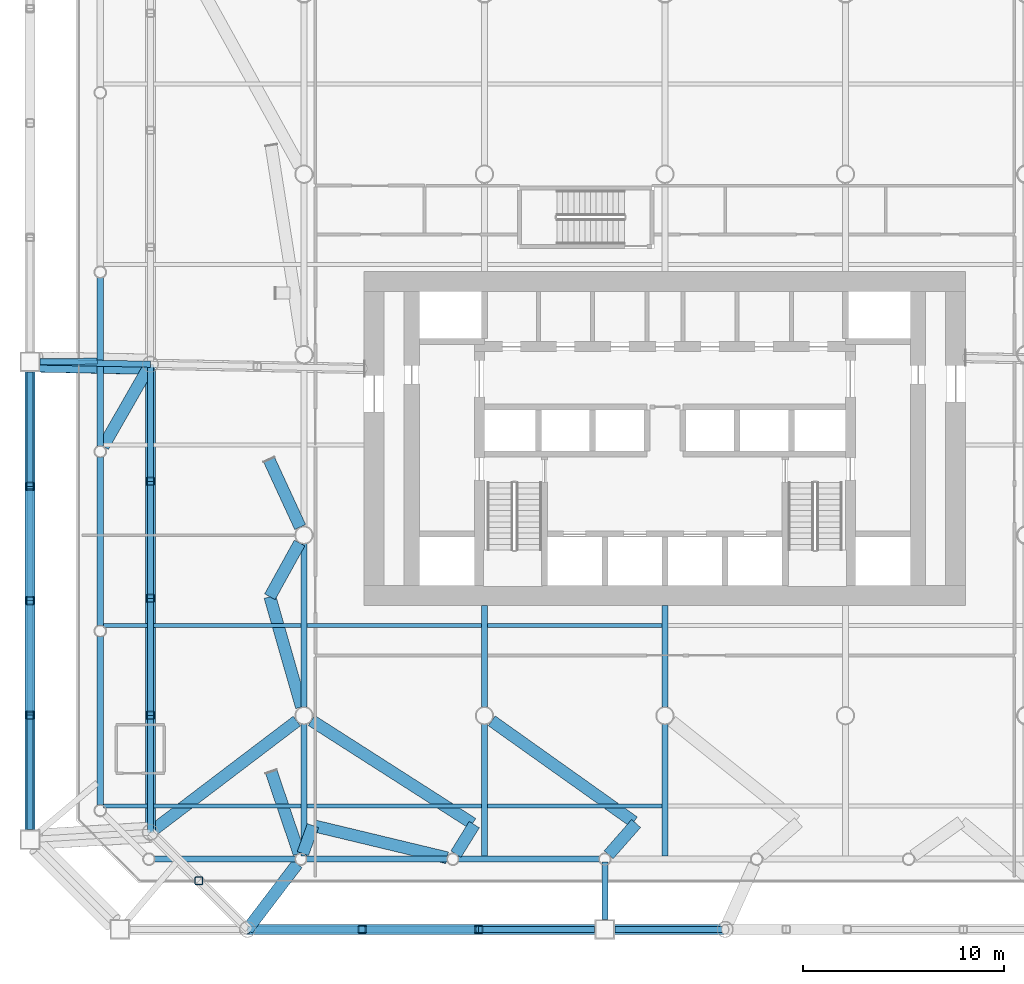
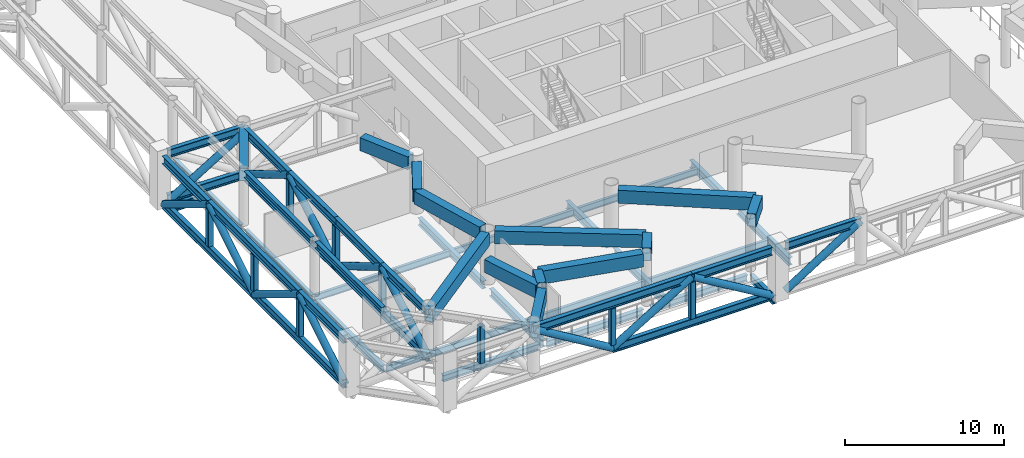
# One storey, part 2 of 22: 54 beams, 22 members.
"""IFC4 building model written with IfcOpenShell, lengths in metres."""

from ifc_helpers import new_model, si_unit, direction, frame, origin, origin_2d, place, context, subcontext, project, spatial, hollow_rectangle, hollow_circle, i_section, extrude, material, material_profile, profile_set, type_object, element, save


model = new_model("IFC4")

# Units and contexts
model_context = context("Model", 3, precision=1e-05, world=origin(), true_north=direction((0.0, 1.0)))
body_context = subcontext(model_context, "Body", "Model", "MODEL_VIEW")
ifc_project = project(units=[si_unit("LENGTHUNIT", "METRE"), si_unit("AREAUNIT", "SQUARE_METRE"), si_unit("VOLUMEUNIT", "CUBIC_METRE"), si_unit("PLANEANGLEUNIT", "RADIAN"), si_unit("MASSUNIT", "GRAM", prefix="KILO")], contexts=[model_context])

# Site, building, storey
site_placement = place(None, origin())
site = spatial("IfcSite", under=ifc_project, at=site_placement, CompositionType="ELEMENT")
building_placement = place(site_placement, origin())
building = spatial("IfcBuilding", under=site, at=building_placement, Name="Tskaro Facet Tower", CompositionType="ELEMENT")
storey_placement = place(building_placement, frame((0.0, 0.0, 57.60009765625)))
storey = spatial("IfcBuildingStorey", under=building, at=storey_placement, Name="L13", CompositionType="ELEMENT", Elevation=57.60009765625)

# Beams
ifc_material_1 = material(Name="Steel S355J2", Category="steel")
ifc_material_profile_1 = material_profile(ifc_material_1, hollow_rectangle(XDim=0.60009765625, YDim=1.0, WallThickness=0.0400390625, at=origin_2d()), Name="BOX 600x1000x40")
ifc_profile_set_1 = profile_set([ifc_material_profile_1], Name="Steel S355J2")
beam_type_1 = type_object("IfcBeamType", Name="BOX 600x1000x40 transfer girder", PredefinedType="BEAM", material=ifc_profile_set_1)
beam_1_placement = place(storey_placement, frame((-25.658935546875, -23.81591796875, 3.579833984375), z_axis=(0.796407370477, 0.604760531326, 0.0), x_axis=(-0.604760531326, 0.796407370477, 0.0)))
element("IfcBeam", 1, at=beam_1_placement, inside=storey, type_object=beam_type_1, Name="BOX 600x1000x40 TG2-5", PredefinedType="BEAM", context=body_context, shape_type="SweptSolid", body=[
    extrude(hollow_rectangle(XDim=0.60009765625, YDim=1.0, WallThickness=0.0400390625, at=origin_2d()), origin(), (0.0, 0.0, 1.0), 9.169677734375),
])
beam_2_placement = place(storey_placement, frame((-17.55029296875, -23.482421875, 3.579833984375), z_axis=(-0.338585535665, -0.94093561684, 0.0), x_axis=(0.94093561684, -0.338585535665, 0.0)))
element("IfcBeam", 2, at=beam_2_placement, inside=storey, type_object=beam_type_1, Name="BOX 600x1000x40 TG2-9", PredefinedType="BEAM", context=body_context, shape_type="SweptSolid", body=[
    extrude(hollow_rectangle(XDim=0.60009765625, YDim=1.0, WallThickness=0.0400390625, at=origin_2d()), origin(), (0.0, 0.0, 1.0), 1.484619140625),
])
beam_3_placement = place(storey_placement, frame((-17.472412109375, -23.501220703125, 3.579833984375), z_axis=(0.97236708512, -0.23345717332, 0.0), x_axis=(0.23345717332, 0.97236708512, 0.0)))
element("IfcBeam", 3, at=beam_3_placement, inside=storey, type_object=beam_type_1, Name="BOX 600x1000x40 TG2-10", PredefinedType="BEAM", context=body_context, shape_type="SweptSolid", body=[
    extrude(hollow_rectangle(XDim=0.60009765625, YDim=1.0, WallThickness=0.0400390625, at=origin_2d()), origin(), (0.0, 0.0, 1.0), 6.79736328125),
])
beam_4_placement = place(storey_placement, frame((-9.507568359375, -23.4326171875, 3.579833984375), z_axis=(-0.526703643594, -0.850048982015, 0.0), x_axis=(0.850048982015, -0.526703643594, 0.0)))
element("IfcBeam", 4, at=beam_4_placement, inside=storey, type_object=beam_type_1, Name="BOX 600x1000x40 TG2-14", PredefinedType="BEAM", context=body_context, shape_type="SweptSolid", body=[
    extrude(hollow_rectangle(XDim=0.60009765625, YDim=1.0, WallThickness=0.0400390625, at=origin_2d()), origin(), (0.0, 0.0, 1.0), 1.733642578125),
])
beam_5_placement = place(storey_placement, frame((-9.591796875, -23.378662109375, 3.579833984375), z_axis=(-0.842388573518, 0.538870569995, 0.0), x_axis=(-0.538870569995, -0.842388573518, 0.0)))
element("IfcBeam", 5, at=beam_5_placement, inside=storey, type_object=beam_type_1, Name="BOX 600x1000x40 TG2-15", PredefinedType="BEAM", context=body_context, shape_type="SweptSolid", body=[
    extrude(hollow_rectangle(XDim=0.60009765625, YDim=1.0, WallThickness=0.0400390625, at=origin_2d()), origin(), (0.0, 0.0, 1.0), 9.5341796875),
])
beam_6_placement = place(storey_placement, frame((-1.43603515625, -23.378173828125, 3.579833984375), z_axis=(-0.660261551154, -0.751035740872, 0.0), x_axis=(0.751035740872, -0.660261551154, 0.0)))
element("IfcBeam", 6, at=beam_6_placement, inside=storey, type_object=beam_type_1, Name="BOX 600x1000x40 TG2-17", PredefinedType="BEAM", context=body_context, shape_type="SweptSolid", body=[
    extrude(hollow_rectangle(XDim=0.60009765625, YDim=1.0, WallThickness=0.0400390625, at=origin_2d()), origin(), (0.0, 0.0, 1.0), 2.07373046875),
])
beam_7_placement = place(storey_placement, frame((-1.55029296875, -23.296875, 3.579833984375), z_axis=(-0.814983912708, 0.57948358219, 0.0), x_axis=(-0.57948358219, -0.814983912708, 0.0)))
element("IfcBeam", 7, at=beam_7_placement, inside=storey, type_object=beam_type_1, Name="BOX 600x1000x40 TG2-18", PredefinedType="BEAM", context=body_context, shape_type="SweptSolid", body=[
    extrude(hollow_rectangle(XDim=0.60009765625, YDim=1.0, WallThickness=0.0400390625, at=origin_2d()), origin(), (0.0, 0.0, 1.0), 8.693603515625),
])
beam_8_placement = place(storey_placement, frame((-19.628173828125, -20.798828125, 3.579833984375), z_axis=(0.320612608597, -0.947210407042, 0.0), x_axis=(0.947210407042, 0.320612608597, 0.0)))
element("IfcBeam", 8, at=beam_8_placement, inside=storey, type_object=beam_type_1, Name="BOX 600x1000x40 TG2-21", PredefinedType="BEAM", context=body_context, shape_type="SweptSolid", body=[
    extrude(hollow_rectangle(XDim=0.60009765625, YDim=1.0, WallThickness=0.0400390625, at=origin_2d()), origin(), (0.0, 0.0, 1.0), 4.30615234375),
])
beam_9_placement = place(storey_placement, frame((-19.69873046875, -12.07177734375, 3.579833984375), z_axis=(0.483909448489, 0.875118075269, 0.0), x_axis=(-0.875118075269, 0.483909448489, 0.0)))
element("IfcBeam", 9, at=beam_9_placement, inside=storey, type_object=beam_type_1, Name="BOX 600x1000x40 TG2-34", PredefinedType="BEAM", context=body_context, shape_type="SweptSolid", body=[
    extrude(hollow_rectangle(XDim=0.60009765625, YDim=1.0, WallThickness=0.0400390625, at=origin_2d()), origin(), (0.0, 0.0, 1.0), 3.06298828125),
])
beam_10_placement = place(storey_placement, frame((-19.69873046875, -12.07177734375, 3.579833984375), z_axis=(0.275448310365, -0.961315883733, 0.0), x_axis=(0.961315883733, 0.275448310365, 0.0)))
element("IfcBeam", 10, at=beam_10_placement, inside=storey, type_object=beam_type_1, Name="BOX 600x1000x40 TG2-35", PredefinedType="BEAM", context=body_context, shape_type="SweptSolid", body=[
    extrude(hollow_rectangle(XDim=0.60009765625, YDim=1.0, WallThickness=0.0400390625, at=origin_2d()), origin(), (0.0, 0.0, 1.0), 5.719482421875),
])
beam_11_placement = place(storey_placement, frame((-20.81591796875, -28.658935546875, 3.579833984375), z_axis=(0.605297408007, 0.795999401922, 0.0), x_axis=(-0.795999401922, 0.605297408007, 0.0)))
element("IfcBeam", 11, at=beam_11_placement, inside=storey, type_object=beam_type_1, Name="BOX 600x1000x40 TG2-39", PredefinedType="BEAM", context=body_context, shape_type="SweptSolid", body=[
    extrude(hollow_rectangle(XDim=0.60009765625, YDim=1.0, WallThickness=0.0400390625, at=origin_2d()), origin(), (0.0, 0.0, 1.0), 4.1044921875),
])
beam_12_placement = place(storey_placement, frame((-19.734619140625, -5.241455078125, 3.579833984375), z_axis=(0.419012053131, -0.907980671232, 0.0), x_axis=(0.907980671232, 0.419012053131, 0.0)))
element("IfcBeam", 12, at=beam_12_placement, inside=storey, type_object=beam_type_1, Name="BOX 600x1000x40 TG2-43", PredefinedType="BEAM", context=body_context, shape_type="SweptSolid", body=[
    extrude(hollow_rectangle(XDim=0.60009765625, YDim=1.0, WallThickness=0.0400390625, at=origin_2d()), origin(), (0.0, 0.0, 1.0), 3.6923828125),
])
beam_13_placement = place(storey_placement, frame((-25.658935546875, -0.47802734375, 3.579833984375), z_axis=(-0.497568143575, -0.867424891561, 0.0), x_axis=(0.867424891561, -0.497568143575, 0.0)))
element("IfcBeam", 13, at=beam_13_placement, inside=storey, type_object=beam_type_1, Name="BOX 600x1000x40 TG2-46", PredefinedType="BEAM", context=body_context, shape_type="SweptSolid", body=[
    extrude(hollow_rectangle(XDim=0.60009765625, YDim=1.0, WallThickness=0.0400390625, at=origin_2d()), origin(), (0.0, 0.0, 1.0), 4.7255859375),
])

# Members
ifc_material_2 = material(Name="Steel S355J2H", Category="steel")
ifc_material_profile_2 = material_profile(ifc_material_2, hollow_circle(Radius=0.25390625, WallThickness=0.02490234375, at=origin_2d()), Name="CHS 508x25")
ifc_profile_set_2 = profile_set([ifc_material_profile_2], Name="Steel S355J2H")
member_type_1 = type_object("IfcMemberType", Name="CHS 508x25 belt diagonal", PredefinedType="BRACE", material=ifc_profile_set_2)
member_1_placement = place(storey_placement, frame((-20.81591796875, -28.658935546875, 3.77001953125), z_axis=(0.855859341874, 0.0, -0.517208649315), x_axis=(0.0, 1.0, 0.0)))
element("IfcMember", 14, at=member_1_placement, inside=storey, type_object=member_type_1, Name="CHS 508x25 BD1-012", PredefinedType="BRACE", context=body_context, shape_type="SweptSolid", body=[
    extrude(hollow_circle(Radius=0.25390625, WallThickness=0.02490234375, at=origin_2d()), origin(), (0.0, 0.0, 1.0), 6.690185546875),
])
member_2_placement = place(storey_placement, frame((-15.090087890625, -28.658935546875, 0.309814453125), z_axis=(0.85859523533, 0.0, 0.51265409573), x_axis=(0.0, 1.0, 0.0)))
element("IfcMember", 15, at=member_2_placement, inside=storey, type_object=member_type_1, Name="CHS 508x25 BD1-013", PredefinedType="BRACE", context=body_context, shape_type="SweptSolid", body=[
    extrude(hollow_circle(Radius=0.25390625, WallThickness=0.02490234375, at=origin_2d()), origin(), (0.0, 0.0, 1.0), 6.74951171875),
])
member_3_placement = place(storey_placement, frame((-9.294921875, -28.658935546875, 3.77001953125), z_axis=(0.858585728587, 0.0, -0.512670017327), x_axis=(0.0, 1.0, 0.0)))
element("IfcMember", 16, at=member_3_placement, inside=storey, type_object=member_type_1, Name="CHS 508x25 BD1-014", PredefinedType="BRACE", context=body_context, shape_type="SweptSolid", body=[
    extrude(hollow_circle(Radius=0.25390625, WallThickness=0.02490234375, at=origin_2d()), origin(), (0.0, 0.0, 1.0), 6.749267578125),
])
member_4_placement = place(storey_placement, frame((-2.5, -28.658935546875, 0.309814453125), z_axis=(0.846424152219, 0.0, 0.532509299956), x_axis=(0.0, 1.0, 0.0)))
element("IfcMember", 17, at=member_4_placement, inside=storey, type_object=member_type_1, Name="CHS 508x25 BD1-021", PredefinedType="BRACE", context=body_context, shape_type="SweptSolid", body=[
    extrude(hollow_circle(Radius=0.25390625, WallThickness=0.02490234375, at=origin_2d()), origin(), (0.0, 0.0, 1.0), 6.497802734375),
])
for number, where, z_axis, x_axis, name in (
    (18, (-31.658935546875, -0.85791015625, 0.309814453125), (0.0, -0.855045941451, 0.518552251955), (1.0, 0.0, 0.0), "CHS 508x25 BD1-111"),
    (19, (-31.658935546875, -6.5634765625, 3.77001953125), (0.0, -0.855045941451, -0.518552251955), (1.0, 0.0, 0.0), "CHS 508x25 BD1-112"),
    (20, (-31.658935546875, -12.26904296875, 0.309814453125), (0.0, -0.855045941451, 0.518552251955), (1.0, 0.0, 0.0), "CHS 508x25 BD1-113"),
):
    element("IfcMember", number, at=place(storey_placement, frame(where, z_axis=z_axis, x_axis=x_axis)), inside=storey, type_object=member_type_1, Name=name, PredefinedType="BRACE", context=body_context, shape_type="SweptSolid", body=[
        extrude(hollow_circle(Radius=0.25390625, WallThickness=0.02490234375, at=origin_2d()), origin(), (0.0, 0.0, 1.0), 6.6728515625),
    ])
member_5_placement = place(storey_placement, frame((-31.658935546875, -17.974609375, 3.77001953125), z_axis=(0.0, -0.855036102786, -0.51856847468), x_axis=(1.0, 0.0, 0.0)))
element("IfcMember", 21, at=member_5_placement, inside=storey, type_object=member_type_1, Name="CHS 508x25 BD1-114", PredefinedType="BRACE", context=body_context, shape_type="SweptSolid", body=[
    extrude(hollow_circle(Radius=0.25390625, WallThickness=0.02490234375, at=origin_2d()), origin(), (0.0, 0.0, 1.0), 6.672607421875),
])
for number, where, z_axis, x_axis, name in (
    (22, (-25.658935546875, -0.47802734375, 0.309814453125), (0.0, -0.860114339917, 0.510101286285), (1.0, 0.0, 0.0), "CHS 508x25 TB1-11-D1"),
    (23, (-25.658935546875, -6.3125, 3.77001953125), (0.0, -0.860114339917, -0.510101286285), (1.0, 0.0, 0.0), "CHS 508x25 TB1-11-D2"),
    (24, (-25.658935546875, -12.14697265625, 0.309814453125), (0.0, -0.860114339917, 0.510101286285), (1.0, 0.0, 0.0), "CHS 508x25 TB1-11-D3"),
    (25, (-25.658935546875, -17.9814453125, 3.77001953125), (0.0, -0.860114339917, -0.510101286285), (1.0, 0.0, 0.0), "CHS 508x25 TB1-11-D4"),
):
    element("IfcMember", number, at=place(storey_placement, frame(where, z_axis=z_axis, x_axis=x_axis)), inside=storey, type_object=member_type_1, Name=name, PredefinedType="BRACE", context=body_context, shape_type="SweptSolid", body=[
        extrude(hollow_circle(Radius=0.25390625, WallThickness=0.02490234375, at=origin_2d()), origin(), (0.0, 0.0, 1.0), 6.783447265625),
    ])
member_6_placement = place(storey_placement, frame((-31.1640625, -0.621826171875, 0.309814453125), z_axis=(0.846302660007, -0.016942582549, 0.532432865779), x_axis=(0.020015520725, 0.999799669399, 0.0)))
element("IfcMember", 26, at=member_6_placement, inside=storey, type_object=member_type_1, Name="CHS 508x25 TL1-11A-D1", PredefinedType="BRACE", context=body_context, shape_type="SweptSolid", body=[
    extrude(hollow_circle(Radius=0.25390625, WallThickness=0.02490234375, at=origin_2d()), origin(), (0.0, 0.0, 1.0), 6.498779296875),
])

# Beams
ifc_material_profile_3 = material_profile(ifc_material_1, i_section(OverallWidth=0.300048828125, OverallDepth=0.5, WebThickness=0.014404296875, FlangeThickness=0.028076171875, FilletRadius=0.027099609375, at=origin_2d()), Name="HE 500 B")
ifc_profile_set_3 = profile_set([ifc_material_profile_3], Name="Steel S355J2")
beam_type_2 = type_object("IfcBeamType", Name="HE 500 B ring beam", PredefinedType="BEAM", material=ifc_profile_set_3)
beam_14_placement = place(storey_placement, frame((-25.4541015625, -25.156982421875, -0.5), z_axis=(1.0, 0.0, 0.0), x_axis=(0.0, 1.0, 0.0)))
element("IfcBeam", 27, at=beam_14_placement, inside=storey, type_object=beam_type_2, Name="HE 500 B EB1-1", PredefinedType="BEAM", context=body_context, shape_type="SweptSolid", body=[
    extrude(i_section(OverallWidth=0.300048828125, OverallDepth=0.5, WebThickness=0.014404296875, FlangeThickness=0.028076171875, FilletRadius=0.027099609375, at=origin_2d()), origin(), (0.0, 0.0, 1.0), 7.026123046875),
])
beam_15_placement = place(storey_placement, frame((-17.8779296875, -25.156982421875, -0.5), z_axis=(1.0, 0.0, 0.0), x_axis=(0.0, 1.0, 0.0)))
element("IfcBeam", 28, at=beam_15_placement, inside=storey, type_object=beam_type_2, Name="HE 500 B EB2-1", PredefinedType="BEAM", context=body_context, shape_type="SweptSolid", body=[
    extrude(i_section(OverallWidth=0.300048828125, OverallDepth=0.5, WebThickness=0.014404296875, FlangeThickness=0.028076171875, FilletRadius=0.027099609375, at=origin_2d()), origin(), (0.0, 0.0, 1.0), 7.02685546875),
])
beam_16_placement = place(storey_placement, frame((-10.301025390625, -25.156982421875, -0.5), z_axis=(1.0, 0.0, 0.0), x_axis=(0.0, 1.0, 0.0)))
element("IfcBeam", 29, at=beam_16_placement, inside=storey, type_object=beam_type_2, Name="HE 500 B EB3-1", PredefinedType="BEAM", context=body_context, shape_type="SweptSolid", body=[
    extrude(i_section(OverallWidth=0.300048828125, OverallDepth=0.5, WebThickness=0.014404296875, FlangeThickness=0.028076171875, FilletRadius=0.027099609375, at=origin_2d()), origin(), (0.0, 0.0, 1.0), 7.026123046875),
])
beam_17_placement = place(storey_placement, frame((-28.156982421875, 3.841064453125, -0.5), z_axis=(0.0, -1.0, 0.0), x_axis=(1.0, 0.0, 0.0)))
element("IfcBeam", 30, at=beam_17_placement, inside=storey, type_object=beam_type_2, Name="HE 500 B EB22-1", PredefinedType="BEAM", context=body_context, shape_type="SweptSolid", body=[
    extrude(i_section(OverallWidth=0.300048828125, OverallDepth=0.5, WebThickness=0.014404296875, FlangeThickness=0.028076171875, FilletRadius=0.027099609375, at=origin_2d()), origin(), (0.0, 0.0, 1.0), 8.399169921875),
])
for number, where, z_axis, x_axis, name in (
    (31, (-28.156982421875, -5.10791015625, -0.5), (0.0, -1.0, 0.0), (1.0, 0.0, 0.0), "HE 500 B EB23-1"),
    (32, (-28.156982421875, -14.055908203125, -0.5), (0.0, -1.0, 0.0), (1.0, 0.0, 0.0), "HE 500 B EB24-1"),
    (33, (-28.156982421875, -5.10791015625, 4.0), (0.0, -1.0, 0.0), (1.0, 0.0, 0.0), "HE 500 B EB23-1R"),
    (34, (-28.156982421875, -14.055908203125, 4.0), (0.0, -1.0, 0.0), (1.0, 0.0, 0.0), "HE 500 B EB24-1R"),
):
    element("IfcBeam", number, at=place(storey_placement, frame(where, z_axis=z_axis, x_axis=x_axis)), inside=storey, type_object=beam_type_2, Name=name, PredefinedType="BEAM", context=body_context, shape_type="SweptSolid", body=[
        extrude(i_section(OverallWidth=0.300048828125, OverallDepth=0.5, WebThickness=0.014404296875, FlangeThickness=0.028076171875, FilletRadius=0.027099609375, at=origin_2d()), origin(), (0.0, 0.0, 1.0), 8.398193359375),
    ])
ifc_material_profile_4 = material_profile(ifc_material_1, i_section(OverallWidth=0.300048828125, OverallDepth=0.590087890625, WebThickness=0.012939453125, FlangeThickness=0.02490234375, FilletRadius=0.027099609375, at=origin_2d()), Name="HE 600 A")
ifc_profile_set_4 = profile_set([ifc_material_profile_4], Name="Steel S355J2")
beam_type_3 = type_object("IfcBeamType", Name="HE 600 A girder", PredefinedType="BEAM", material=ifc_profile_set_4)
beam_18_placement = place(storey_placement, frame((-18.0, -25.007080078125, -0.545166015625), z_axis=(0.0, 1.0, 0.0), x_axis=(-1.0, 0.0, 0.0)))
element("IfcBeam", 35, at=beam_18_placement, inside=storey, type_object=beam_type_3, Name="HE 600 A GB2-1-1", PredefinedType="BEAM", context=body_context, shape_type="SweptSolid", body=[
    extrude(i_section(OverallWidth=0.300048828125, OverallDepth=0.590087890625, WebThickness=0.012939453125, FlangeThickness=0.02490234375, FilletRadius=0.027099609375, at=origin_2d()), origin(), (0.0, 0.0, 1.0), 6.579833984375),
])
beam_19_placement = place(storey_placement, frame((-18.0, -17.57275390625, -0.545166015625), z_axis=(0.0, 1.0, 0.0), x_axis=(-1.0, 0.0, 0.0)))
element("IfcBeam", 36, at=beam_19_placement, inside=storey, type_object=beam_type_3, Name="HE 600 A GB2-2-1", PredefinedType="BEAM", context=body_context, shape_type="SweptSolid", body=[
    extrude(i_section(OverallWidth=0.300048828125, OverallDepth=0.590087890625, WebThickness=0.012939453125, FlangeThickness=0.02490234375, FilletRadius=0.027099609375, at=origin_2d()), origin(), (0.0, 0.0, 1.0), 8.1455078125),
])
beam_20_placement = place(storey_placement, frame((-9.0, -25.007080078125, -0.545166015625), z_axis=(0.0, 1.0, 0.0), x_axis=(-1.0, 0.0, 0.0)))
element("IfcBeam", 37, at=beam_20_placement, inside=storey, type_object=beam_type_3, Name="HE 600 A GB3-1-1", PredefinedType="BEAM", context=body_context, shape_type="SweptSolid", body=[
    extrude(i_section(OverallWidth=0.300048828125, OverallDepth=0.590087890625, WebThickness=0.012939453125, FlangeThickness=0.02490234375, FilletRadius=0.027099609375, at=origin_2d()), origin(), (0.0, 0.0, 1.0), 6.579833984375),
])
beam_21_placement = place(storey_placement, frame((-9.0, -17.57275390625, -0.545166015625), z_axis=(0.0, 1.0, 0.0), x_axis=(-1.0, 0.0, 0.0)))
element("IfcBeam", 38, at=beam_21_placement, inside=storey, type_object=beam_type_3, Name="HE 600 A GB3-2-1", PredefinedType="BEAM", context=body_context, shape_type="SweptSolid", body=[
    extrude(i_section(OverallWidth=0.300048828125, OverallDepth=0.590087890625, WebThickness=0.012939453125, FlangeThickness=0.02490234375, FilletRadius=0.027099609375, at=origin_2d()), origin(), (0.0, 0.0, 1.0), 5.07275390625),
])
beam_22_placement = place(storey_placement, frame((0.0, -25.007080078125, -0.545166015625), z_axis=(0.0, 1.0, 0.0), x_axis=(-1.0, 0.0, 0.0)))
element("IfcBeam", 39, at=beam_22_placement, inside=storey, type_object=beam_type_3, Name="HE 600 A GB4-1-1", PredefinedType="BEAM", context=body_context, shape_type="SweptSolid", body=[
    extrude(i_section(OverallWidth=0.300048828125, OverallDepth=0.590087890625, WebThickness=0.012939453125, FlangeThickness=0.02490234375, FilletRadius=0.027099609375, at=origin_2d()), origin(), (0.0, 0.0, 1.0), 6.579833984375),
])
beam_23_placement = place(storey_placement, frame((0.0, -17.57275390625, -0.545166015625), z_axis=(0.0, 1.0, 0.0), x_axis=(-1.0, 0.0, 0.0)))
element("IfcBeam", 40, at=beam_23_placement, inside=storey, type_object=beam_type_3, Name="HE 600 A GB4-2-1", PredefinedType="BEAM", context=body_context, shape_type="SweptSolid", body=[
    extrude(i_section(OverallWidth=0.300048828125, OverallDepth=0.590087890625, WebThickness=0.012939453125, FlangeThickness=0.02490234375, FilletRadius=0.027099609375, at=origin_2d()), origin(), (0.0, 0.0, 1.0), 5.07275390625),
])
ifc_material_profile_5 = material_profile(ifc_material_1, i_section(OverallWidth=0.300048828125, OverallDepth=0.60009765625, WebThickness=0.015380859375, FlangeThickness=0.030029296875, FilletRadius=0.027099609375, at=origin_2d()), Name="HE 600 B")
ifc_profile_set_5 = profile_set([ifc_material_profile_5], Name="Steel S355J2")
beam_type_4 = type_object("IfcBeamType", Name="HE 600 B floor strut", PredefinedType="BEAM", material=ifc_profile_set_5)
beam_24_placement = place(storey_placement, frame((-3.0, -28.158935546875, -0.550048828125), z_axis=(0.0, 1.0, 0.0), x_axis=(-1.0, 0.0, 0.0)))
element("IfcBeam", 41, at=beam_24_placement, inside=storey, type_object=beam_type_4, Name="HE 600 B ES1-02", PredefinedType="BEAM", context=body_context, shape_type="SweptSolid", body=[
    extrude(i_section(OverallWidth=0.300048828125, OverallDepth=0.60009765625, WebThickness=0.015380859375, FlangeThickness=0.030029296875, FilletRadius=0.027099609375, at=origin_2d()), origin(), (0.0, 0.0, 1.0), 2.85205078125),
])
beam_25_placement = place(storey_placement, frame((-31.158935546875, -0.3525390625, -0.550048828125), z_axis=(0.999937130901, 0.011213128244, 0.0), x_axis=(-0.011213128244, 0.999937130901, 0.0)))
element("IfcBeam", 42, at=beam_25_placement, inside=storey, type_object=beam_type_4, Name="HE 600 B ES1-11", PredefinedType="BEAM", context=body_context, shape_type="SweptSolid", body=[
    extrude(i_section(OverallWidth=0.300048828125, OverallDepth=0.60009765625, WebThickness=0.015380859375, FlangeThickness=0.030029296875, FilletRadius=0.027099609375, at=origin_2d()), origin(), (0.0, 0.0, 1.0), 2.852294921875),
])
ifc_material_profile_6 = material_profile(ifc_material_1, i_section(OverallWidth=0.304931640625, OverallDepth=0.6201171875, WebThickness=0.02099609375, FlangeThickness=0.0400390625, FilletRadius=0.027099609375, at=origin_2d()), Name="HE 600 M")
ifc_profile_set_6 = profile_set([ifc_material_profile_6], Name="Steel S355J2")
beam_type_5 = type_object("IfcBeamType", Name="HE 600 M belt chord", PredefinedType="BEAM", material=ifc_profile_set_6)
beam_26_placement = place(storey_placement, frame((-20.81591796875, -28.658935546875, 3.77001953125), z_axis=(1.0, 0.0, 0.0), x_axis=(0.0, 1.0, 0.0)))
element("IfcBeam", 43, at=beam_26_placement, inside=storey, type_object=beam_type_5, Name="HE 600 M BT1-01T2", PredefinedType="BEAM", context=body_context, shape_type="SweptSolid", body=[
    extrude(i_section(OverallWidth=0.304931640625, OverallDepth=0.6201171875, WebThickness=0.02099609375, FlangeThickness=0.0400390625, FilletRadius=0.027099609375, at=origin_2d()), origin(), (0.0, 0.0, 1.0), 11.52099609375),
])
beam_27_placement = place(storey_placement, frame((-9.294921875, -28.658935546875, 3.77001953125), z_axis=(1.0, 0.0, 0.0), x_axis=(0.0, 1.0, 0.0)))
element("IfcBeam", 44, at=beam_27_placement, inside=storey, type_object=beam_type_5, Name="HE 600 M BT1-01T3", PredefinedType="BEAM", context=body_context, shape_type="SweptSolid", body=[
    extrude(i_section(OverallWidth=0.304931640625, OverallDepth=0.6201171875, WebThickness=0.02099609375, FlangeThickness=0.0400390625, FilletRadius=0.027099609375, at=origin_2d()), origin(), (0.0, 0.0, 1.0), 5.794921875),
])
beam_28_placement = place(storey_placement, frame((-15.090087890625, -28.658935546875, 0.309814453125), z_axis=(1.0, 0.0, 0.0), x_axis=(0.0, 1.0, 0.0)))
element("IfcBeam", 45, at=beam_28_placement, inside=storey, type_object=beam_type_5, Name="HE 600 M BT1-01B2", PredefinedType="BEAM", context=body_context, shape_type="SweptSolid", body=[
    extrude(i_section(OverallWidth=0.304931640625, OverallDepth=0.6201171875, WebThickness=0.02099609375, FlangeThickness=0.0400390625, FilletRadius=0.027099609375, at=origin_2d()), origin(), (0.0, 0.0, 1.0), 11.590087890625),
])
beam_29_placement = place(storey_placement, frame((-2.5, -28.658935546875, 3.77001953125), z_axis=(1.0, 0.0, 0.0), x_axis=(0.0, 1.0, 0.0)))
element("IfcBeam", 46, at=beam_29_placement, inside=storey, type_object=beam_type_5, Name="HE 600 M BT1-02T1", PredefinedType="BEAM", context=body_context, shape_type="SweptSolid", body=[
    extrude(i_section(OverallWidth=0.304931640625, OverallDepth=0.6201171875, WebThickness=0.02099609375, FlangeThickness=0.0400390625, FilletRadius=0.027099609375, at=origin_2d()), origin(), (0.0, 0.0, 1.0), 5.5),
])
beam_30_placement = place(storey_placement, frame((-31.658935546875, -0.85791015625, 3.77001953125), z_axis=(0.0, -1.0, 0.0), x_axis=(1.0, 0.0, 0.0)))
element("IfcBeam", 47, at=beam_30_placement, inside=storey, type_object=beam_type_5, Name="HE 600 M BT1-11T1", PredefinedType="BEAM", context=body_context, shape_type="SweptSolid", body=[
    extrude(i_section(OverallWidth=0.304931640625, OverallDepth=0.6201171875, WebThickness=0.02099609375, FlangeThickness=0.0400390625, FilletRadius=0.027099609375, at=origin_2d()), origin(), (0.0, 0.0, 1.0), 5.70556640625),
])
beam_31_placement = place(storey_placement, frame((-31.658935546875, -6.5634765625, 3.77001953125), z_axis=(0.0, -1.0, 0.0), x_axis=(1.0, 0.0, 0.0)))
element("IfcBeam", 48, at=beam_31_placement, inside=storey, type_object=beam_type_5, Name="HE 600 M BT1-11T2", PredefinedType="BEAM", context=body_context, shape_type="SweptSolid", body=[
    extrude(i_section(OverallWidth=0.304931640625, OverallDepth=0.6201171875, WebThickness=0.02099609375, FlangeThickness=0.0400390625, FilletRadius=0.027099609375, at=origin_2d()), origin(), (0.0, 0.0, 1.0), 11.4111328125),
])
beam_32_placement = place(storey_placement, frame((-31.658935546875, -17.974609375, 3.77001953125), z_axis=(0.0, -1.0, 0.0), x_axis=(1.0, 0.0, 0.0)))
element("IfcBeam", 49, at=beam_32_placement, inside=storey, type_object=beam_type_5, Name="HE 600 M BT1-11T3", PredefinedType="BEAM", context=body_context, shape_type="SweptSolid", body=[
    extrude(i_section(OverallWidth=0.304931640625, OverallDepth=0.6201171875, WebThickness=0.02099609375, FlangeThickness=0.0400390625, FilletRadius=0.027099609375, at=origin_2d()), origin(), (0.0, 0.0, 1.0), 5.705322265625),
])
beam_33_placement = place(storey_placement, frame((-31.658935546875, -0.85791015625, 0.309814453125), z_axis=(0.0, -1.0, 0.0), x_axis=(1.0, 0.0, 0.0)))
element("IfcBeam", 50, at=beam_33_placement, inside=storey, type_object=beam_type_5, Name="HE 600 M BT1-11B1", PredefinedType="BEAM", context=body_context, shape_type="SweptSolid", body=[
    extrude(i_section(OverallWidth=0.304931640625, OverallDepth=0.6201171875, WebThickness=0.02099609375, FlangeThickness=0.0400390625, FilletRadius=0.027099609375, at=origin_2d()), origin(), (0.0, 0.0, 1.0), 11.4111328125),
])
beam_34_placement = place(storey_placement, frame((-31.658935546875, -12.26904296875, 0.309814453125), z_axis=(0.0, -1.0, 0.0), x_axis=(1.0, 0.0, 0.0)))
element("IfcBeam", 51, at=beam_34_placement, inside=storey, type_object=beam_type_5, Name="HE 600 M BT1-11B2", PredefinedType="BEAM", context=body_context, shape_type="SweptSolid", body=[
    extrude(i_section(OverallWidth=0.304931640625, OverallDepth=0.6201171875, WebThickness=0.02099609375, FlangeThickness=0.0400390625, FilletRadius=0.027099609375, at=origin_2d()), origin(), (0.0, 0.0, 1.0), 11.410888671875),
])
for number, where, z_axis, x_axis, name in (
    (52, (-25.658935546875, -0.47802734375, 3.77001953125), (0.0, -1.0, 0.0), (1.0, 0.0, 0.0), "HE 600 M TB1-11-T1"),
    (53, (-25.658935546875, -0.47802734375, 0.309814453125), (0.0, -1.0, 0.0), (1.0, 0.0, 0.0), "HE 600 M TB1-11-B1"),
    (54, (-25.658935546875, -6.3125, 3.77001953125), (0.0, -1.0, 0.0), (1.0, 0.0, 0.0), "HE 600 M TB1-11-T2"),
    (55, (-25.658935546875, -6.3125, 0.309814453125), (0.0, -1.0, 0.0), (1.0, 0.0, 0.0), "HE 600 M TB1-11-B2"),
    (56, (-25.658935546875, -12.14697265625, 3.77001953125), (0.0, -1.0, 0.0), (1.0, 0.0, 0.0), "HE 600 M TB1-11-T3"),
    (57, (-25.658935546875, -12.14697265625, 0.309814453125), (0.0, -1.0, 0.0), (1.0, 0.0, 0.0), "HE 600 M TB1-11-B3"),
    (58, (-25.658935546875, -17.9814453125, 3.77001953125), (0.0, -1.0, 0.0), (1.0, 0.0, 0.0), "HE 600 M TB1-11-T4"),
    (59, (-25.658935546875, -17.9814453125, 0.309814453125), (0.0, -1.0, 0.0), (1.0, 0.0, 0.0), "HE 600 M TB1-11-B4"),
):
    element("IfcBeam", number, at=place(storey_placement, frame(where, z_axis=z_axis, x_axis=x_axis)), inside=storey, type_object=beam_type_5, Name=name, PredefinedType="BEAM", context=body_context, shape_type="SweptSolid", body=[
        extrude(i_section(OverallWidth=0.304931640625, OverallDepth=0.6201171875, WebThickness=0.02099609375, FlangeThickness=0.0400390625, FilletRadius=0.027099609375, at=origin_2d()), origin(), (0.0, 0.0, 1.0), 5.83447265625),
    ])
for number, where, z_axis, x_axis, name in (
    (60, (-31.1591796875, -0.367919921875, 3.77001953125), (0.999799687177, -0.020014632648, 0.0), (0.020014632648, 0.999799687177, 0.0), "HE 600 M TL1-11A-T1"),
    (61, (-31.1591796875, -0.367919921875, 0.309814453125), (0.999799687177, -0.020014632648, 0.0), (0.020014632648, 0.999799687177, 0.0), "HE 600 M TL1-11A-B1"),
):
    element("IfcBeam", number, at=place(storey_placement, frame(where, z_axis=z_axis, x_axis=x_axis)), inside=storey, type_object=beam_type_5, Name=name, PredefinedType="BEAM", context=body_context, shape_type="SweptSolid", body=[
        extrude(i_section(OverallWidth=0.304931640625, OverallDepth=0.6201171875, WebThickness=0.02099609375, FlangeThickness=0.0400390625, FilletRadius=0.027099609375, at=origin_2d()), origin(), (0.0, 0.0, 1.0), 5.50146484375),
    ])
ifc_material_profile_7 = material_profile(ifc_material_1, i_section(OverallWidth=0.199951171875, OverallDepth=0.5, WebThickness=0.01025390625, FlangeThickness=0.01611328125, FilletRadius=0.02099609375, at=origin_2d()), Name="IPE 500")
ifc_profile_set_7 = profile_set([ifc_material_profile_7], Name="Steel S355J2")
beam_type_6 = type_object("IfcBeamType", Name="IPE 500 secondary beam", PredefinedType="BEAM", material=ifc_profile_set_7)
beam_35_placement = place(storey_placement, frame((-28.007080078125, -22.5, -0.5), z_axis=(1.0, 0.0, 0.0), x_axis=(0.0, 1.0, 0.0)))
element("IfcBeam", 62, at=beam_35_placement, inside=storey, type_object=beam_type_6, Name="IPE 500 SB1a-1-1", PredefinedType="BEAM", context=body_context, shape_type="SweptSolid", body=[
    extrude(i_section(OverallWidth=0.199951171875, OverallDepth=0.5, WebThickness=0.01025390625, FlangeThickness=0.01611328125, FilletRadius=0.02099609375, at=origin_2d()), origin(), (0.0, 0.0, 1.0), 9.857177734375),
])
for number, where, z_axis, x_axis, name in (
    (63, (-17.85009765625, -22.5, -0.5), (1.0, 0.0, 0.0), (0.0, 1.0, 0.0), "IPE 500 SB1a-2-1"),
    (64, (-8.85009765625, -22.5, -0.5), (1.0, 0.0, 0.0), (0.0, 1.0, 0.0), "IPE 500 SB1a-3-1"),
):
    element("IfcBeam", number, at=place(storey_placement, frame(where, z_axis=z_axis, x_axis=x_axis)), inside=storey, type_object=beam_type_6, Name=name, PredefinedType="BEAM", context=body_context, shape_type="SweptSolid", body=[
        extrude(i_section(OverallWidth=0.199951171875, OverallDepth=0.5, WebThickness=0.01025390625, FlangeThickness=0.01611328125, FilletRadius=0.02099609375, at=origin_2d()), origin(), (0.0, 0.0, 1.0), 8.7001953125),
    ])
beam_36_placement = place(storey_placement, frame((-28.007080078125, -13.5, -0.5), z_axis=(1.0, 0.0, 0.0), x_axis=(0.0, 1.0, 0.0)))
element("IfcBeam", 65, at=beam_36_placement, inside=storey, type_object=beam_type_6, Name="IPE 500 SB2a-1-1", PredefinedType="BEAM", context=body_context, shape_type="SweptSolid", body=[
    extrude(i_section(OverallWidth=0.199951171875, OverallDepth=0.5, WebThickness=0.01025390625, FlangeThickness=0.01611328125, FilletRadius=0.02099609375, at=origin_2d()), origin(), (0.0, 0.0, 1.0), 9.857177734375),
])
for number, where, z_axis, x_axis, name in (
    (66, (-17.85009765625, -13.5, -0.5), (1.0, 0.0, 0.0), (0.0, 1.0, 0.0), "IPE 500 SB2a-2-1"),
    (67, (-8.85009765625, -13.5, -0.5), (1.0, 0.0, 0.0), (0.0, 1.0, 0.0), "IPE 500 SB2a-3-1"),
):
    element("IfcBeam", number, at=place(storey_placement, frame(where, z_axis=z_axis, x_axis=x_axis)), inside=storey, type_object=beam_type_6, Name=name, PredefinedType="BEAM", context=body_context, shape_type="SweptSolid", body=[
        extrude(i_section(OverallWidth=0.199951171875, OverallDepth=0.5, WebThickness=0.01025390625, FlangeThickness=0.01611328125, FilletRadius=0.02099609375, at=origin_2d()), origin(), (0.0, 0.0, 1.0), 8.7001953125),
    ])

# Members
ifc_material_profile_8 = material_profile(ifc_material_2, hollow_rectangle(XDim=0.39990234375, YDim=0.39990234375, WallThickness=0.02490234375, InnerFilletRadius=0.03759765625, OuterFilletRadius=0.0625, at=origin_2d()), Name="SHS 400x400x25")
ifc_profile_set_8 = profile_set([ifc_material_profile_8], Name="Steel S355J2H")
member_type_2 = type_object("IfcMemberType", Name="SHS 400x400x25 belt post", PredefinedType="POST", material=ifc_profile_set_8)
for number, where, z_axis, x_axis, name in (
    (68, (-15.090087890625, -28.658935546875, 0.619873046875), (0.0, 0.0, 1.0), (1.0, 0.0, 0.0), "SHS 400x400x25 BP1-012"),
    (69, (-9.294921875, -28.658935546875, 0.619873046875), (0.0, 0.0, 1.0), (1.0, 0.0, 0.0), "SHS 400x400x25 BP1-013"),
    (70, (-31.658935546875, -6.5634765625, 0.619873046875), (0.0, 0.0, 1.0), (1.0, 0.0, 0.0), "SHS 400x400x25 BP1-111"),
    (71, (-31.658935546875, -12.26904296875, 0.619873046875), (0.0, 0.0, 1.0), (1.0, 0.0, 0.0), "SHS 400x400x25 BP1-112"),
    (72, (-31.658935546875, -17.974609375, 0.619873046875), (0.0, 0.0, 1.0), (1.0, 0.0, 0.0), "SHS 400x400x25 BP1-113"),
    (73, (-25.658935546875, -6.3125, 0.619873046875), (0.0, 0.0, 1.0), (1.0, 0.0, 0.0), "SHS 400x400x25 TB1-11-P1"),
    (74, (-25.658935546875, -12.14697265625, 0.619873046875), (0.0, 0.0, 1.0), (1.0, 0.0, 0.0), "SHS 400x400x25 TB1-11-P2"),
    (75, (-25.658935546875, -17.9814453125, 0.619873046875), (0.0, 0.0, 1.0), (1.0, 0.0, 0.0), "SHS 400x400x25 TB1-11-P3"),
    (76, (-23.237548828125, -26.237548828125, 0.619873046875), (0.0, 0.0, 1.0), (1.0, 0.0, 0.0), "SHS 400x400x25 TB1-12-P1"),
):
    element("IfcMember", number, at=place(storey_placement, frame(where, z_axis=z_axis, x_axis=x_axis)), inside=storey, type_object=member_type_2, Name=name, PredefinedType="POST", context=body_context, shape_type="SweptSolid", body=[
        extrude(hollow_rectangle(XDim=0.39990234375, YDim=0.39990234375, WallThickness=0.02490234375, InnerFilletRadius=0.03759765625, OuterFilletRadius=0.0625, at=origin_2d()), origin(), (0.0, 0.0, 1.0), 2.840087890625),
    ])

save(model, "model.ifc")
